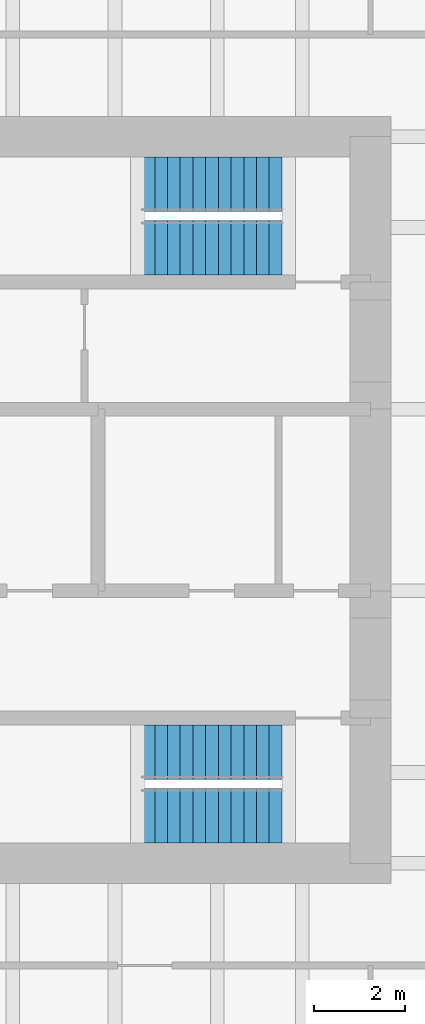
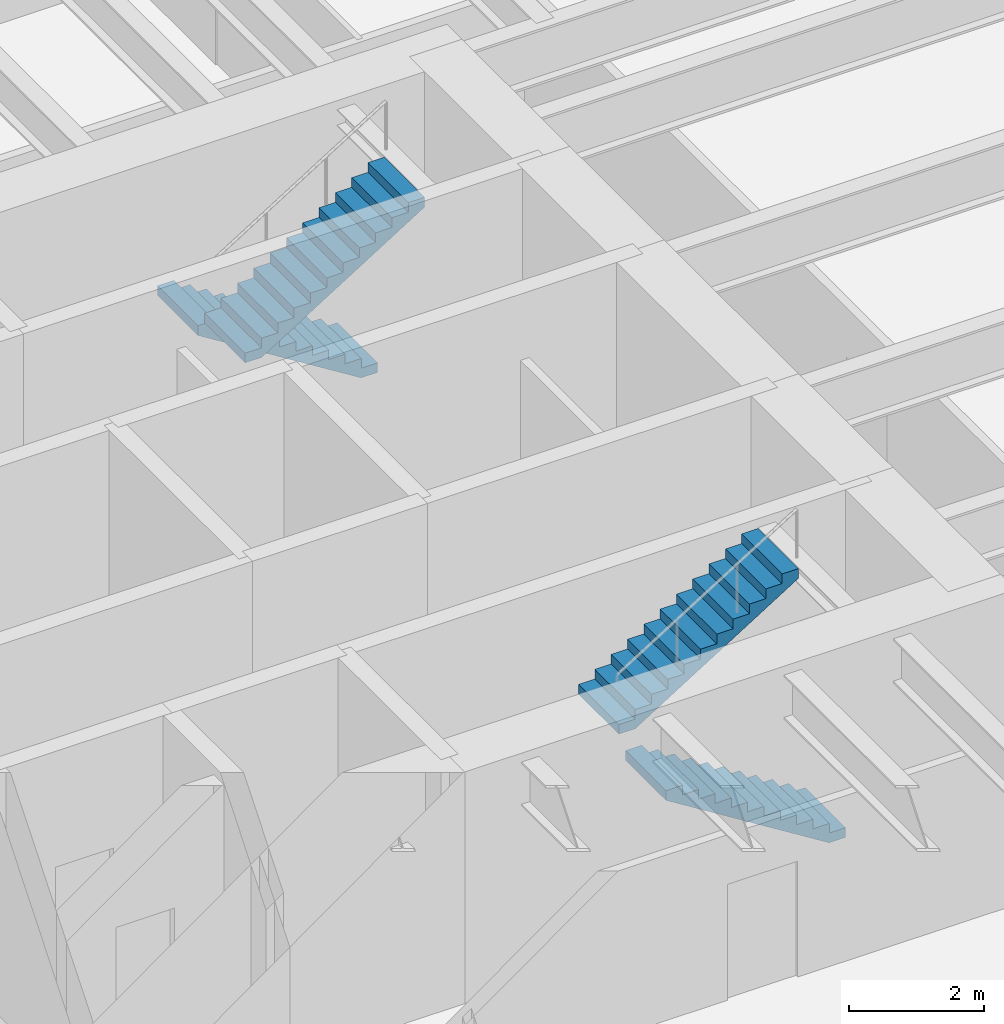
# One storey, part 18 of 19: 4 stair flights, 2 elements without a shape of their own.
"""IFC4 building model written with IfcOpenShell, lengths in metres."""

import ifcopenshell
import ifcopenshell.guid

model = None  # the IFC model being written
_history = None  # IfcOwnerHistory: only IFC2X3 demands one
_inside = {}  # id of a spatial element -> (the spatial element, [elements in it])
_under = {}  # id of a project, library or spatial element -> (it, [spatial elements below it])
_declared = {}  # id of a project -> (the project, [libraries it declares])
_typed = {}  # id of a type object -> (the type object, [elements of that type])
_made_of = {}  # id of a material, layer set ... -> (it, [elements and type objects made of it])


def new_model(schema):
    """Start an empty IFC model of exactly this schema.

    Asked for "IFC4X3", IfcOpenShell would pick the latest addendum, in which some entities
    have other attributes; the version numbers below select the first issue.
    IFC2X3 requires an IfcOwnerHistory on every rooted entity: one is made here for all.
    """
    global model, _history
    if schema == "IFC4X3":
        model = ifcopenshell.file(schema_version=(4, 3, 0, 0))
    else:
        model = ifcopenshell.file(schema=schema)
    _inside.clear()
    _under.clear()
    _declared.clear()
    _typed.clear()
    _made_of.clear()
    _history = None
    if model.schema == "IFC2X3":
        org = make("IfcOrganization", Name="unknown")
        user = make(
            "IfcPersonAndOrganization",
            ThePerson=make("IfcPerson", FamilyName="unknown"),
            TheOrganization=org,
        )
        app = make(
            "IfcApplication",
            ApplicationDeveloper=org,
            Version="unknown",
            ApplicationFullName="unknown",
            ApplicationIdentifier="unknown",
        )
        _history = make(
            "IfcOwnerHistory",
            OwningUser=user,
            OwningApplication=app,
            ChangeAction="ADDED",
            CreationDate=0,
        )
    return model


def make(cls, **values):
    """One entity of the class cls with the attributes given. An attribute that is None is left unset."""
    return model.create_entity(
        cls, **{name: value for name, value in values.items() if value is not None}
    )


def rooted(cls, **values):
    """An entity with a GlobalId (a new one), such as an element, a storey or a relation."""
    return make(cls, GlobalId=ifcopenshell.guid.new(), OwnerHistory=_history, **values)


def si_unit(unit_type, name, prefix=None):
    """IfcSIUnit, for example si_unit("LENGTHUNIT", "METRE", prefix="MILLI")."""
    return make("IfcSIUnit", UnitType=unit_type, Prefix=prefix, Name=name)


def assignment(units):
    """IfcUnitAssignment: the units of a project."""
    return None if units is None else make("IfcUnitAssignment", Units=units)


def point(xyz):
    """IfcCartesianPoint."""
    return None if xyz is None else make("IfcCartesianPoint", Coordinates=xyz)


def direction(xyz):
    """IfcDirection."""
    return None if xyz is None else make("IfcDirection", DirectionRatios=xyz)


def frame(location, z_axis=None, x_axis=None):
    """IfcAxis2Placement3D, a coordinate frame: its origin and axes. An axis left out is left unset."""
    return make(
        "IfcAxis2Placement3D",
        Location=point(location),
        Axis=direction(z_axis),
        RefDirection=direction(x_axis),
    )


def origin():
    """The frame at (0, 0, 0) with its axes left unset."""
    return frame((0.0, 0.0, 0.0))


def place(relative_to, where):
    """IfcLocalPlacement: puts the frame where relative to a parent placement (None: the world)."""
    return make(
        "IfcLocalPlacement", PlacementRelTo=relative_to, RelativePlacement=where
    )


def context(
    kind, dimensions, precision=None, world=None, true_north=None, identifier=None
):
    """IfcGeometricRepresentationContext, for example the 3D "Model" context."""
    return make(
        "IfcGeometricRepresentationContext",
        ContextIdentifier=identifier,
        ContextType=kind,
        CoordinateSpaceDimension=dimensions,
        Precision=precision,
        WorldCoordinateSystem=world,
        TrueNorth=true_north,
    )


def subcontext(parent, identifier, kind, view, scale=None):
    """IfcGeometricRepresentationSubContext, for example "Body" below "Model"."""
    return make(
        "IfcGeometricRepresentationSubContext",
        ContextIdentifier=identifier,
        ContextType=kind,
        ParentContext=parent,
        TargetScale=scale,
        TargetView=view,
    )


def project(units=None, contexts=None):
    """IfcProject with its units and contexts."""
    return rooted(
        "IfcProject",
        Name="project",
        RepresentationContexts=contexts,
        UnitsInContext=assignment(units),
    )


def spatial(cls, under=None, at=None, **own):
    """A site, building, storey or space (cls), placed at a placement, below another one or the project."""
    s = rooted(cls, ObjectPlacement=at, **own)
    if under is not None:
        _under.setdefault(under.id(), (under, []))[1].append(s)
    return s


def polyline(points):
    """IfcPolyline through the points."""
    return make("IfcPolyline", Points=[point(p) for p in points])


def outline(outer, holes=None, kind="AREA"):
    """IfcArbitraryClosedProfileDef: a profile drawn as a closed curve; with holes, ...WithVoids."""
    if holes is None:
        return make("IfcArbitraryClosedProfileDef", ProfileType=kind, OuterCurve=outer)
    return make(
        "IfcArbitraryProfileDefWithVoids",
        ProfileType=kind,
        OuterCurve=outer,
        InnerCurves=holes,
    )


def extrude(swept, where, along, depth):
    """IfcExtrudedAreaSolid: the profile swept, set in the frame where, extruded along a direction by depth."""
    return make(
        "IfcExtrudedAreaSolid",
        SweptArea=swept,
        Position=where,
        ExtrudedDirection=direction(along),
        Depth=depth,
    )


def shape(context_of_items, identifier, shape_type, items):
    """IfcShapeRepresentation: the items that make up one representation, for example the "Body"."""
    return make(
        "IfcShapeRepresentation",
        ContextOfItems=context_of_items,
        RepresentationIdentifier=identifier,
        RepresentationType=shape_type,
        Items=items,
    )


def material(Name=None, Category=None):
    """IfcMaterial."""
    return make("IfcMaterial", Name=Name, Category=Category)


def made_of(thing, what):
    """Note that an element or type object is made of a material, layer set ...; save() writes the relation."""
    if what is not None:
        _made_of.setdefault(what.id(), (what, []))[1].append(thing)
    return thing


def type_object(cls, material=None, **own):
    """A type object (cls), such as IfcWallType, which elements share."""
    return made_of(rooted(cls, **own), material)


def element(
    cls,
    number,
    at=None,
    inside=None,
    cuts=None,
    type_object=None,
    material=None,
    context=None,
    identifier="Body",
    shape_type=None,
    held_by="IfcProductDefinitionShape",
    body=None,
    shapes=None,
    **own,
):
    """One element of the class cls, such as IfcWall. Its Tag is "e" and its number.

    at: its placement. inside: the storey or other place that contains it. cuts: it is an
    opening in that element (IfcRelVoidsElement). A single representation is given by context,
    identifier, shape_type and body (its items); several are given by shapes. held_by: the class
    of the entity that holds the representations. save() writes the other relations.
    """
    e = rooted(cls, Tag="e%d" % number, ObjectPlacement=at, **own)
    if body is not None:
        shapes = [shape(context, identifier, shape_type, body)]
    if shapes is not None:
        e.Representation = make(held_by, Representations=shapes)
    if inside is not None:
        _inside.setdefault(inside.id(), (inside, []))[1].append(e)
    if cuts is not None:
        rooted(
            "IfcRelVoidsElement", RelatingBuildingElement=cuts, RelatedOpeningElement=e
        )
    if type_object is not None:
        _typed.setdefault(type_object.id(), (type_object, []))[1].append(e)
    return made_of(e, material)


def aggregate(whole, parts):
    """IfcRelAggregates: a whole, such as a stair, and the parts it consists of."""
    return rooted("IfcRelAggregates", RelatingObject=whole, RelatedObjects=parts)


def save(model, path):
    """Write the relations noted so far, then the file.

    IfcRelAggregates (storeys below a building ...), IfcRelContainedInSpatialStructure (elements
    in a storey), IfcRelDefinesByType, IfcRelAssociatesMaterial and IfcRelDeclares: one each for
    every whole, place, type object, material and project.
    """
    for whole, parts in _under.values():
        aggregate(whole, parts)
    for where, things in _inside.values():
        rooted(
            "IfcRelContainedInSpatialStructure",
            RelatedElements=things,
            RelatingStructure=where,
        )
    for kind, things in _typed.values():
        rooted("IfcRelDefinesByType", RelatedObjects=things, RelatingType=kind)
    for what, things in _made_of.values():
        rooted("IfcRelAssociatesMaterial", RelatedObjects=things, RelatingMaterial=what)
    for by, libraries in _declared.values():
        rooted("IfcRelDeclares", RelatingContext=by, RelatedDefinitions=libraries)
    model.write(path)


model = new_model("IFC4")

# Units and contexts
model_context = context("Model", 3, precision=1e-05, world=origin(), true_north=direction((0.0, 1.0)))
body_context = subcontext(model_context, "Body", "Model", "MODEL_VIEW")
ifc_project = project(units=[si_unit("LENGTHUNIT", "METRE"), si_unit("AREAUNIT", "SQUARE_METRE"), si_unit("VOLUMEUNIT", "CUBIC_METRE"), si_unit("PLANEANGLEUNIT", "RADIAN"), si_unit("MASSUNIT", "GRAM", prefix="KILO")], contexts=[model_context])

# Site, building, storey
site_placement = place(None, origin())
site = spatial("IfcSite", under=ifc_project, at=site_placement, CompositionType="ELEMENT")
building_placement = place(site_placement, origin())
building = spatial("IfcBuilding", under=site, at=building_placement, Name="Rheinbord Bourse Tower", CompositionType="ELEMENT")
storey_placement = place(building_placement, frame((0.0, 0.0, 167.699951171875)))
storey = spatial("IfcBuildingStorey", under=building, at=storey_placement, Name="L37", CompositionType="ELEMENT", Elevation=167.699951171875)

# Stair, stair flights
ifc_material_1 = material(Name="Concrete C30/37", Category="concrete")
stair_type = type_object("IfcStairType", Name="CORE STAIR HALF TURN 4200", PredefinedType="HALF_TURN_STAIR", material=ifc_material_1)
stair_1_placement = place(storey_placement, origin())
stair_1 = element("IfcStair", 1, at=stair_1_placement, inside=storey, type_object=stair_type, Name="Stair ST3 L37, type CS6", PredefinedType="HALF_TURN_STAIR")
ifc_material_2 = material(Name="Concrete C30/37", Category="concrete")
stair_flight_type = type_object("IfcStairFlightType", Name="CORE STAIR FLIGHT 1200, 12 RISERS", PredefinedType="STRAIGHT", material=ifc_material_2)
stair_flight_1_placement = place(storey_placement, frame((52.050048828125, 17.050048828125, 0.0), z_axis=(0.0, 0.0, 1.0), x_axis=(-1.0, 0.0, 0.0)))
stair_flight_1 = element("IfcStairFlight", 2, at=stair_flight_1_placement, type_object=stair_flight_type, Name="STAIR L37 ST3 F1", NumberOfRisers=12, NumberOfTreads=11, PredefinedType="STRAIGHT", RiserHeight=0.175, TreadLength=0.28, context=body_context, shape_type="SweptSolid", body=[
    extrude(outline(polyline([(0.0, 0.0), (0.0, 0.175048828125), (0.280029296875, 0.175048828125), (0.280029296875, 0.35009765625), (0.56005859375, 0.35009765625), (0.56005859375, 0.52490234375), (0.840087890625, 0.52490234375), (0.840087890625, 0.699951171875), (1.1201171875, 0.699951171875), (1.1201171875, 0.875), (1.39990234375, 0.875), (1.39990234375, 1.050048828125), (1.679931640625, 1.050048828125), (1.679931640625, 1.22509765625), (1.9599609375, 1.22509765625), (1.9599609375, 1.39990234375), (2.239990234375, 1.39990234375), (2.239990234375, 1.574951171875), (2.52001953125, 1.574951171875), (2.52001953125, 1.75), (2.800048828125, 1.75), (2.800048828125, 1.925048828125), (3.080078125, 1.925048828125), (3.080078125, 2.10009765625), (3.080078125, 1.748291015625), (0.28271484375, 0.0), (0.0, 0.0)])), frame((0.0, 0.60009765625, 0.0), z_axis=(0.0, -1.0, 0.0), x_axis=(1.0, 0.0, 0.0)), (0.0, 0.0, 1.0), 1.199951171875),
])
stair_flight_2_placement = place(storey_placement, frame((48.969970703125, 18.449951171875, 2.10009765625), z_axis=(0.0, 0.0, 1.0), x_axis=(1.0, 0.0, 0.0)))
stair_flight_2 = element("IfcStairFlight", 3, at=stair_flight_2_placement, type_object=stair_flight_type, Name="STAIR L37 ST3 F2", NumberOfRisers=12, NumberOfTreads=11, PredefinedType="STRAIGHT", RiserHeight=0.175, TreadLength=0.28, context=body_context, shape_type="SweptSolid", body=[
    extrude(outline(polyline([(0.0, 0.0), (0.0, 0.175048828125), (0.280029296875, 0.175048828125), (0.280029296875, 0.35009765625), (0.56005859375, 0.35009765625), (0.56005859375, 0.52490234375), (0.840087890625, 0.52490234375), (0.840087890625, 0.699951171875), (1.1201171875, 0.699951171875), (1.1201171875, 0.875), (1.39990234375, 0.875), (1.39990234375, 1.050048828125), (1.679931640625, 1.050048828125), (1.679931640625, 1.22509765625), (1.9599609375, 1.22509765625), (1.9599609375, 1.39990234375), (2.239990234375, 1.39990234375), (2.239990234375, 1.574951171875), (2.52001953125, 1.574951171875), (2.52001953125, 1.75), (2.800048828125, 1.75), (2.800048828125, 1.925048828125), (3.080078125, 1.925048828125), (3.080078125, 2.10009765625), (3.080078125, 1.748291015625), (0.28271484375, 0.0), (0.0, 0.0)])), frame((0.0, 0.60009765625, 0.0), z_axis=(0.0, -1.0, 0.0), x_axis=(1.0, 0.0, 0.0)), (0.0, 0.0, 1.0), 1.199951171875),
])
aggregate(stair_1, [stair_flight_1, stair_flight_2])

stair_2_placement = place(storey_placement, origin())
stair_2 = element("IfcStair", 4, at=stair_2_placement, inside=storey, type_object=stair_type, Name="Stair ST4 L37, type CS6", PredefinedType="HALF_TURN_STAIR")
stair_flight_3_placement = place(storey_placement, frame((52.050048828125, 30.949951171875, 0.0), z_axis=(0.0, 0.0, 1.0), x_axis=(-1.0, 0.0, 0.0)))
stair_flight_3 = element("IfcStairFlight", 5, at=stair_flight_3_placement, type_object=stair_flight_type, Name="STAIR L37 ST4 F1", NumberOfRisers=12, NumberOfTreads=11, PredefinedType="STRAIGHT", RiserHeight=0.175, TreadLength=0.28, context=body_context, shape_type="SweptSolid", body=[
    extrude(outline(polyline([(0.0, 0.0), (0.0, 0.175048828125), (0.280029296875, 0.175048828125), (0.280029296875, 0.35009765625), (0.56005859375, 0.35009765625), (0.56005859375, 0.52490234375), (0.840087890625, 0.52490234375), (0.840087890625, 0.699951171875), (1.1201171875, 0.699951171875), (1.1201171875, 0.875), (1.39990234375, 0.875), (1.39990234375, 1.050048828125), (1.679931640625, 1.050048828125), (1.679931640625, 1.22509765625), (1.9599609375, 1.22509765625), (1.9599609375, 1.39990234375), (2.239990234375, 1.39990234375), (2.239990234375, 1.574951171875), (2.52001953125, 1.574951171875), (2.52001953125, 1.75), (2.800048828125, 1.75), (2.800048828125, 1.925048828125), (3.080078125, 1.925048828125), (3.080078125, 2.10009765625), (3.080078125, 1.748291015625), (0.28271484375, 0.0), (0.0, 0.0)])), frame((0.0, 0.60009765625, 0.0), z_axis=(0.0, -1.0, 0.0), x_axis=(1.0, 0.0, 0.0)), (0.0, 0.0, 1.0), 1.199951171875),
])
stair_flight_4_placement = place(storey_placement, frame((48.969970703125, 29.550048828125, 2.10009765625), z_axis=(0.0, 0.0, 1.0), x_axis=(1.0, 0.0, 0.0)))
stair_flight_4 = element("IfcStairFlight", 6, at=stair_flight_4_placement, type_object=stair_flight_type, Name="STAIR L37 ST4 F2", NumberOfRisers=12, NumberOfTreads=11, PredefinedType="STRAIGHT", RiserHeight=0.175, TreadLength=0.28, context=body_context, shape_type="SweptSolid", body=[
    extrude(outline(polyline([(0.0, 0.0), (0.0, 0.175048828125), (0.280029296875, 0.175048828125), (0.280029296875, 0.35009765625), (0.56005859375, 0.35009765625), (0.56005859375, 0.52490234375), (0.840087890625, 0.52490234375), (0.840087890625, 0.699951171875), (1.1201171875, 0.699951171875), (1.1201171875, 0.875), (1.39990234375, 0.875), (1.39990234375, 1.050048828125), (1.679931640625, 1.050048828125), (1.679931640625, 1.22509765625), (1.9599609375, 1.22509765625), (1.9599609375, 1.39990234375), (2.239990234375, 1.39990234375), (2.239990234375, 1.574951171875), (2.52001953125, 1.574951171875), (2.52001953125, 1.75), (2.800048828125, 1.75), (2.800048828125, 1.925048828125), (3.080078125, 1.925048828125), (3.080078125, 2.10009765625), (3.080078125, 1.748291015625), (0.28271484375, 0.0), (0.0, 0.0)])), frame((0.0, 0.60009765625, 0.0), z_axis=(0.0, -1.0, 0.0), x_axis=(1.0, 0.0, 0.0)), (0.0, 0.0, 1.0), 1.199951171875),
])
aggregate(stair_2, [stair_flight_3, stair_flight_4])

save(model, "model.ifc")
